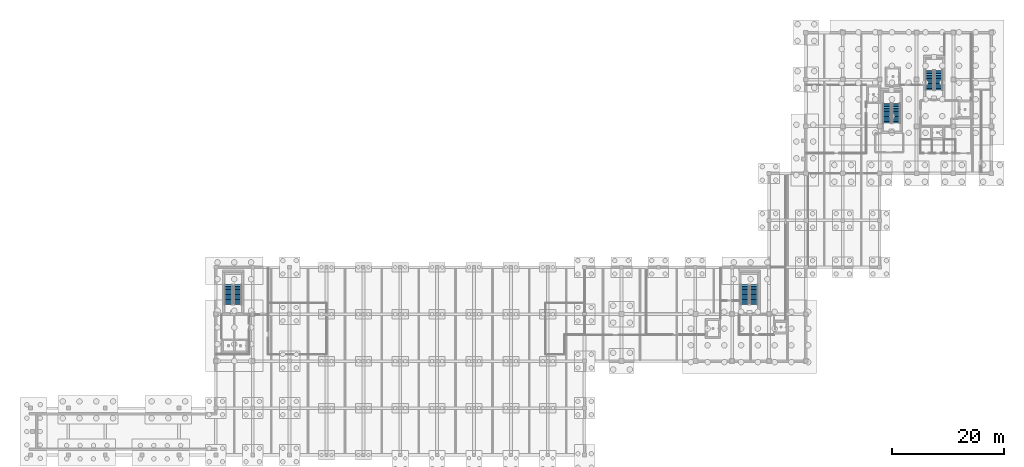
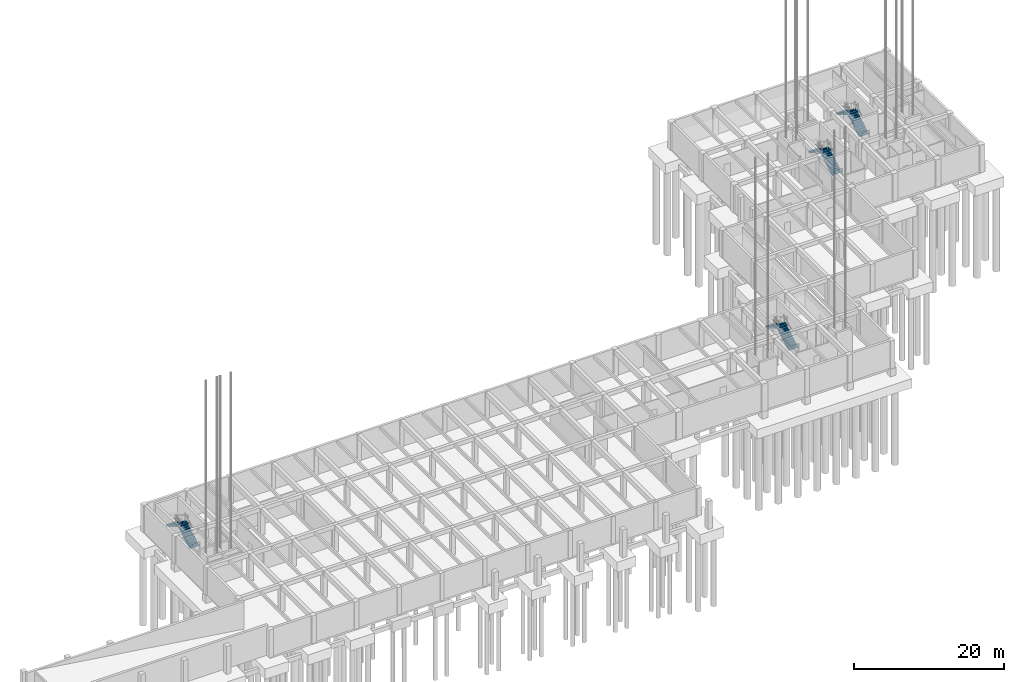
# One storey, part 39 of 44: 8 stair flights, 4 elements without a shape of their own.
"""IFC4 building model written with IfcOpenShell, lengths in metres."""

from ifc_helpers import new_model, si_unit, direction, frame, origin, place, context, subcontext, project, spatial, polyline, outline, extrude, material, type_object, element, aggregate, save


model = new_model("IFC4")

# Units and contexts
model_context = context("Model", 3, precision=1e-05, world=origin(), true_north=direction((0.0, 1.0)))
body_context = subcontext(model_context, "Body", "Model", "MODEL_VIEW")
ifc_project = project(units=[si_unit("LENGTHUNIT", "METRE"), si_unit("AREAUNIT", "SQUARE_METRE"), si_unit("VOLUMEUNIT", "CUBIC_METRE"), si_unit("PLANEANGLEUNIT", "RADIAN"), si_unit("MASSUNIT", "GRAM", prefix="KILO")], contexts=[model_context])

# Site, building, storey
site_placement = place(None, origin())
site = spatial("IfcSite", under=ifc_project, at=site_placement, CompositionType="ELEMENT")
building_placement = place(site_placement, origin())
building = spatial("IfcBuilding", under=site, at=building_placement, Name="Kolvaren Faculty of Natural Sciences", CompositionType="ELEMENT")
storey_placement = place(building_placement, frame((0.0, 0.0, -4.5)))
storey = spatial("IfcBuildingStorey", under=building, at=storey_placement, Name="B01", CompositionType="ELEMENT", Elevation=-4.5)

# Stair, stair flights
ifc_material = material(Name="Concrete C35/45", Category="concrete")
stair_type = type_object("IfcStairType", Name="DoglegStair_H4500", PredefinedType="HALF_TURN_STAIR", material=ifc_material)
stair_1_placement = place(storey_placement, origin())
stair_1 = element("IfcStair", 1, at=stair_1_placement, inside=storey, type_object=stair_type, Name="B01 Protected exit stair ST-1", PredefinedType="HALF_TURN_STAIR")
stair_flight_type = type_object("IfcStairFlightType", Name="StairFlight_R1731", PredefinedType="STRAIGHT", material=ifc_material)
stair_flight_1_placement = place(storey_placement, frame((162.574951171875, 73.89990234375, 0.0), z_axis=(0.0, 0.0, 1.0), x_axis=(0.0, 1.0, 0.0)))
stair_flight_1 = element("IfcStairFlight", 2, at=stair_flight_1_placement, type_object=stair_flight_type, Name="ST-1 flight 1", NumberOfRisers=13, NumberOfTreads=12, PredefinedType="STRAIGHT", RiserHeight=0.173076923, TreadLength=0.295, context=body_context, shape_type="SweptSolid", body=[
    extrude(outline(polyline([(0.0, 0.0), (0.0, 0.173095703125), (0.294921875, 0.173095703125), (0.294921875, 0.34619140625), (0.590087890625, 0.34619140625), (0.590087890625, 0.519287109375), (0.885009765625, 0.519287109375), (0.885009765625, 0.6923828125), (1.179931640625, 0.6923828125), (1.179931640625, 0.865478515625), (1.47509765625, 0.865478515625), (1.47509765625, 1.03857421875), (1.77001953125, 1.03857421875), (1.77001953125, 1.21142578125), (2.06494140625, 1.21142578125), (2.06494140625, 1.384521484375), (2.360107421875, 1.384521484375), (2.360107421875, 1.5576171875), (2.655029296875, 1.5576171875), (2.655029296875, 1.730712890625), (2.949951171875, 1.730712890625), (2.949951171875, 1.90380859375), (3.2451171875, 1.90380859375), (3.2451171875, 2.076904296875), (3.5400390625, 2.076904296875), (3.5400390625, 2.25), (3.5400390625, 1.903076171875), (0.296142578125, 0.0), (0.0, 0.0)])), frame((0.0, 0.72509765625, 0.0), z_axis=(0.0, -1.0, 0.0), x_axis=(1.0, 0.0, 0.0)), (0.0, 0.0, 1.0), 1.449951171875),
])
stair_flight_2_placement = place(storey_placement, frame((160.925048828125, 77.43994140625, 2.25), z_axis=(0.0, 0.0, 1.0), x_axis=(0.0, -1.0, 0.0)))
stair_flight_2 = element("IfcStairFlight", 3, at=stair_flight_2_placement, type_object=stair_flight_type, Name="ST-1 flight 2", NumberOfRisers=13, NumberOfTreads=12, PredefinedType="STRAIGHT", RiserHeight=0.173076923, TreadLength=0.295, context=body_context, shape_type="SweptSolid", body=[
    extrude(outline(polyline([(0.0, 0.0), (0.0, 0.173095703125), (0.294921875, 0.173095703125), (0.294921875, 0.34619140625), (0.590087890625, 0.34619140625), (0.590087890625, 0.519287109375), (0.885009765625, 0.519287109375), (0.885009765625, 0.6923828125), (1.179931640625, 0.6923828125), (1.179931640625, 0.865478515625), (1.47509765625, 0.865478515625), (1.47509765625, 1.03857421875), (1.77001953125, 1.03857421875), (1.77001953125, 1.21142578125), (2.06494140625, 1.21142578125), (2.06494140625, 1.384521484375), (2.360107421875, 1.384521484375), (2.360107421875, 1.5576171875), (2.655029296875, 1.5576171875), (2.655029296875, 1.730712890625), (2.949951171875, 1.730712890625), (2.949951171875, 1.90380859375), (3.2451171875, 1.90380859375), (3.2451171875, 2.076904296875), (3.5400390625, 2.076904296875), (3.5400390625, 2.25), (3.5400390625, 1.903076171875), (0.296142578125, 0.0), (0.0, 0.0)])), frame((0.0, 0.72509765625, 0.0), z_axis=(0.0, -1.0, 0.0), x_axis=(1.0, 0.0, 0.0)), (0.0, 0.0, 1.0), 1.449951171875),
])
aggregate(stair_1, [stair_flight_1, stair_flight_2])

stair_2_placement = place(storey_placement, origin())
stair_2 = element("IfcStair", 4, at=stair_2_placement, inside=storey, type_object=stair_type, Name="B01 Protected exit stair ST-2", PredefinedType="HALF_TURN_STAIR")
stair_flight_3_placement = place(storey_placement, frame((154.97509765625, 68.0, 0.0), z_axis=(0.0, 0.0, 1.0), x_axis=(0.0, 1.0, 0.0)))
stair_flight_3 = element("IfcStairFlight", 5, at=stair_flight_3_placement, type_object=stair_flight_type, Name="ST-2 flight 1", NumberOfRisers=13, NumberOfTreads=12, PredefinedType="STRAIGHT", RiserHeight=0.173076923, TreadLength=0.295, context=body_context, shape_type="SweptSolid", body=[
    extrude(outline(polyline([(0.0, 0.0), (0.0, 0.173095703125), (0.294921875, 0.173095703125), (0.294921875, 0.34619140625), (0.590087890625, 0.34619140625), (0.590087890625, 0.519287109375), (0.885009765625, 0.519287109375), (0.885009765625, 0.6923828125), (1.179931640625, 0.6923828125), (1.179931640625, 0.865478515625), (1.47509765625, 0.865478515625), (1.47509765625, 1.03857421875), (1.77001953125, 1.03857421875), (1.77001953125, 1.21142578125), (2.06494140625, 1.21142578125), (2.06494140625, 1.384521484375), (2.360107421875, 1.384521484375), (2.360107421875, 1.5576171875), (2.655029296875, 1.5576171875), (2.655029296875, 1.730712890625), (2.949951171875, 1.730712890625), (2.949951171875, 1.90380859375), (3.2451171875, 1.90380859375), (3.2451171875, 2.076904296875), (3.5400390625, 2.076904296875), (3.5400390625, 2.25), (3.5400390625, 1.903076171875), (0.296142578125, 0.0), (0.0, 0.0)])), frame((0.0, 0.72509765625, 0.0), z_axis=(0.0, -1.0, 0.0), x_axis=(1.0, 0.0, 0.0)), (0.0, 0.0, 1.0), 1.449951171875),
])
stair_flight_4_placement = place(storey_placement, frame((153.324951171875, 71.5400390625, 2.25), z_axis=(0.0, 0.0, 1.0), x_axis=(0.0, -1.0, 0.0)))
stair_flight_4 = element("IfcStairFlight", 6, at=stair_flight_4_placement, type_object=stair_flight_type, Name="ST-2 flight 2", NumberOfRisers=13, NumberOfTreads=12, PredefinedType="STRAIGHT", RiserHeight=0.173076923, TreadLength=0.295, context=body_context, shape_type="SweptSolid", body=[
    extrude(outline(polyline([(0.0, 0.0), (0.0, 0.173095703125), (0.294921875, 0.173095703125), (0.294921875, 0.34619140625), (0.590087890625, 0.34619140625), (0.590087890625, 0.519287109375), (0.885009765625, 0.519287109375), (0.885009765625, 0.6923828125), (1.179931640625, 0.6923828125), (1.179931640625, 0.865478515625), (1.47509765625, 0.865478515625), (1.47509765625, 1.03857421875), (1.77001953125, 1.03857421875), (1.77001953125, 1.21142578125), (2.06494140625, 1.21142578125), (2.06494140625, 1.384521484375), (2.360107421875, 1.384521484375), (2.360107421875, 1.5576171875), (2.655029296875, 1.5576171875), (2.655029296875, 1.730712890625), (2.949951171875, 1.730712890625), (2.949951171875, 1.90380859375), (3.2451171875, 1.90380859375), (3.2451171875, 2.076904296875), (3.5400390625, 2.076904296875), (3.5400390625, 2.25), (3.5400390625, 1.903076171875), (0.296142578125, 0.0), (0.0, 0.0)])), frame((0.0, 0.72509765625, 0.0), z_axis=(0.0, -1.0, 0.0), x_axis=(1.0, 0.0, 0.0)), (0.0, 0.0, 1.0), 1.449951171875),
])
aggregate(stair_2, [stair_flight_3, stair_flight_4])

stair_3_placement = place(storey_placement, origin())
stair_3 = element("IfcStair", 7, at=stair_3_placement, inside=storey, type_object=stair_type, Name="B01 Protected exit stair ST-3", PredefinedType="HALF_TURN_STAIR")
stair_flight_5_placement = place(storey_placement, frame((129.52490234375, 35.550048828125, 0.0), z_axis=(0.0, 0.0, 1.0), x_axis=(0.0, 1.0, 0.0)))
stair_flight_5 = element("IfcStairFlight", 8, at=stair_flight_5_placement, type_object=stair_flight_type, Name="ST-3 flight 1", NumberOfRisers=13, NumberOfTreads=12, PredefinedType="STRAIGHT", RiserHeight=0.173076923, TreadLength=0.295, context=body_context, shape_type="SweptSolid", body=[
    extrude(outline(polyline([(0.0, 0.0), (0.0, 0.173095703125), (0.294921875, 0.173095703125), (0.294921875, 0.34619140625), (0.590087890625, 0.34619140625), (0.590087890625, 0.519287109375), (0.885009765625, 0.519287109375), (0.885009765625, 0.6923828125), (1.179931640625, 0.6923828125), (1.179931640625, 0.865478515625), (1.47509765625, 0.865478515625), (1.47509765625, 1.03857421875), (1.77001953125, 1.03857421875), (1.77001953125, 1.21142578125), (2.06494140625, 1.21142578125), (2.06494140625, 1.384521484375), (2.360107421875, 1.384521484375), (2.360107421875, 1.5576171875), (2.655029296875, 1.5576171875), (2.655029296875, 1.730712890625), (2.949951171875, 1.730712890625), (2.949951171875, 1.90380859375), (3.2451171875, 1.90380859375), (3.2451171875, 2.076904296875), (3.5400390625, 2.076904296875), (3.5400390625, 2.25), (3.5400390625, 1.903076171875), (0.296142578125, 0.0), (0.0, 0.0)])), frame((0.0, 0.72509765625, 0.0), z_axis=(0.0, -1.0, 0.0), x_axis=(1.0, 0.0, 0.0)), (0.0, 0.0, 1.0), 1.449951171875),
])
stair_flight_6_placement = place(storey_placement, frame((127.875, 39.090087890625, 2.25), z_axis=(0.0, 0.0, 1.0), x_axis=(0.0, -1.0, 0.0)))
stair_flight_6 = element("IfcStairFlight", 9, at=stair_flight_6_placement, type_object=stair_flight_type, Name="ST-3 flight 2", NumberOfRisers=13, NumberOfTreads=12, PredefinedType="STRAIGHT", RiserHeight=0.173076923, TreadLength=0.295, context=body_context, shape_type="SweptSolid", body=[
    extrude(outline(polyline([(0.0, 0.0), (0.0, 0.173095703125), (0.294921875, 0.173095703125), (0.294921875, 0.34619140625), (0.590087890625, 0.34619140625), (0.590087890625, 0.519287109375), (0.885009765625, 0.519287109375), (0.885009765625, 0.6923828125), (1.179931640625, 0.6923828125), (1.179931640625, 0.865478515625), (1.47509765625, 0.865478515625), (1.47509765625, 1.03857421875), (1.77001953125, 1.03857421875), (1.77001953125, 1.21142578125), (2.06494140625, 1.21142578125), (2.06494140625, 1.384521484375), (2.360107421875, 1.384521484375), (2.360107421875, 1.5576171875), (2.655029296875, 1.5576171875), (2.655029296875, 1.730712890625), (2.949951171875, 1.730712890625), (2.949951171875, 1.90380859375), (3.2451171875, 1.90380859375), (3.2451171875, 2.076904296875), (3.5400390625, 2.076904296875), (3.5400390625, 2.25), (3.5400390625, 1.903076171875), (0.296142578125, 0.0), (0.0, 0.0)])), frame((0.0, 0.72509765625, 0.0), z_axis=(0.0, -1.0, 0.0), x_axis=(1.0, 0.0, 0.0)), (0.0, 0.0, 1.0), 1.449951171875),
])
aggregate(stair_3, [stair_flight_5, stair_flight_6])

stair_4_placement = place(storey_placement, origin())
stair_4 = element("IfcStair", 10, at=stair_4_placement, inside=storey, type_object=stair_type, Name="B01 Protected exit stair ST-4", PredefinedType="HALF_TURN_STAIR")
stair_flight_7_placement = place(storey_placement, frame((37.125, 35.550048828125, 0.0), z_axis=(0.0, 0.0, 1.0), x_axis=(0.0, 1.0, 0.0)))
stair_flight_7 = element("IfcStairFlight", 11, at=stair_flight_7_placement, type_object=stair_flight_type, Name="ST-4 flight 1", NumberOfRisers=13, NumberOfTreads=12, PredefinedType="STRAIGHT", RiserHeight=0.173076923, TreadLength=0.295, context=body_context, shape_type="SweptSolid", body=[
    extrude(outline(polyline([(0.0, 0.0), (0.0, 0.173095703125), (0.294921875, 0.173095703125), (0.294921875, 0.34619140625), (0.590087890625, 0.34619140625), (0.590087890625, 0.519287109375), (0.885009765625, 0.519287109375), (0.885009765625, 0.6923828125), (1.179931640625, 0.6923828125), (1.179931640625, 0.865478515625), (1.47509765625, 0.865478515625), (1.47509765625, 1.03857421875), (1.77001953125, 1.03857421875), (1.77001953125, 1.21142578125), (2.06494140625, 1.21142578125), (2.06494140625, 1.384521484375), (2.360107421875, 1.384521484375), (2.360107421875, 1.5576171875), (2.655029296875, 1.5576171875), (2.655029296875, 1.730712890625), (2.949951171875, 1.730712890625), (2.949951171875, 1.90380859375), (3.2451171875, 1.90380859375), (3.2451171875, 2.076904296875), (3.5400390625, 2.076904296875), (3.5400390625, 2.25), (3.5400390625, 1.903076171875), (0.296142578125, 0.0), (0.0, 0.0)])), frame((0.0, 0.72509765625, 0.0), z_axis=(0.0, -1.0, 0.0), x_axis=(1.0, 0.0, 0.0)), (0.0, 0.0, 1.0), 1.449951171875),
])
stair_flight_8_placement = place(storey_placement, frame((35.47509765625, 39.090087890625, 2.25), z_axis=(0.0, 0.0, 1.0), x_axis=(0.0, -1.0, 0.0)))
stair_flight_8 = element("IfcStairFlight", 12, at=stair_flight_8_placement, type_object=stair_flight_type, Name="ST-4 flight 2", NumberOfRisers=13, NumberOfTreads=12, PredefinedType="STRAIGHT", RiserHeight=0.173076923, TreadLength=0.295, context=body_context, shape_type="SweptSolid", body=[
    extrude(outline(polyline([(0.0, 0.0), (0.0, 0.173095703125), (0.294921875, 0.173095703125), (0.294921875, 0.34619140625), (0.590087890625, 0.34619140625), (0.590087890625, 0.519287109375), (0.885009765625, 0.519287109375), (0.885009765625, 0.6923828125), (1.179931640625, 0.6923828125), (1.179931640625, 0.865478515625), (1.47509765625, 0.865478515625), (1.47509765625, 1.03857421875), (1.77001953125, 1.03857421875), (1.77001953125, 1.21142578125), (2.06494140625, 1.21142578125), (2.06494140625, 1.384521484375), (2.360107421875, 1.384521484375), (2.360107421875, 1.5576171875), (2.655029296875, 1.5576171875), (2.655029296875, 1.730712890625), (2.949951171875, 1.730712890625), (2.949951171875, 1.90380859375), (3.2451171875, 1.90380859375), (3.2451171875, 2.076904296875), (3.5400390625, 2.076904296875), (3.5400390625, 2.25), (3.5400390625, 1.903076171875), (0.296142578125, 0.0), (0.0, 0.0)])), frame((0.0, 0.72509765625, 0.0), z_axis=(0.0, -1.0, 0.0), x_axis=(1.0, 0.0, 0.0)), (0.0, 0.0, 1.0), 1.449951171875),
])
aggregate(stair_4, [stair_flight_7, stair_flight_8])

save(model, "model.ifc")
